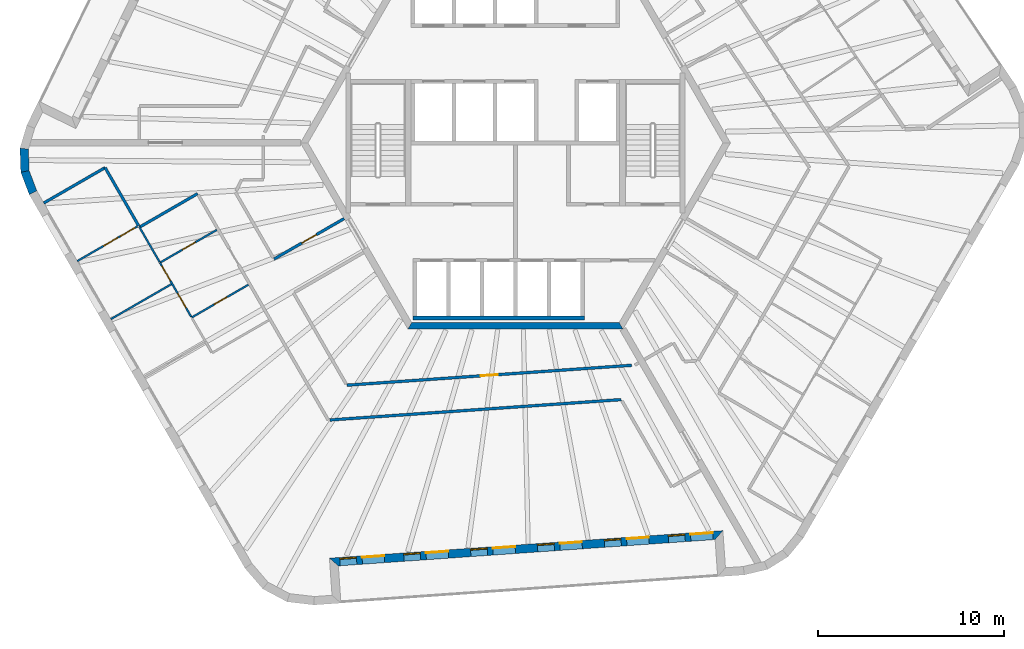
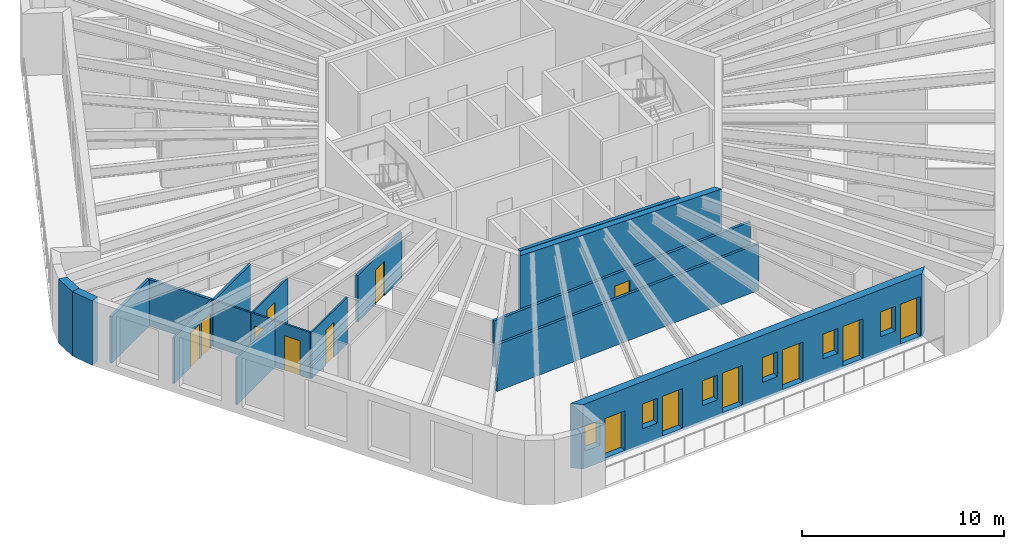
# One storey, part 3 of 11: 17 walls, 14 doors, 6 windows, 20 openings.
"""IFC4 building model written with IfcOpenShell, lengths in metres."""

from ifc_helpers import new_model, si_unit, direction, frame, frame_2d, origin, place, context, subcontext, project, spatial, polyline, rectangle, outline, extrude, material, layer, layer_set, type_object, element, fill, save


model = new_model("IFC4")

# Units and contexts
model_context = context("Model", 3, precision=1e-05, world=origin(), true_north=direction((0.0, 1.0)))
body_context = subcontext(model_context, "Body", "Model", "MODEL_VIEW")
ifc_project = project(units=[si_unit("LENGTHUNIT", "METRE"), si_unit("AREAUNIT", "SQUARE_METRE"), si_unit("VOLUMEUNIT", "CUBIC_METRE"), si_unit("PLANEANGLEUNIT", "RADIAN"), si_unit("MASSUNIT", "GRAM", prefix="KILO")], contexts=[model_context])

# Site, building, storey
site_placement = place(None, origin())
site = spatial("IfcSite", under=ifc_project, at=site_placement, CompositionType="ELEMENT")
building_placement = place(site_placement, origin())
building = spatial("IfcBuilding", under=site, at=building_placement, Name="Tarnside Tower", CompositionType="ELEMENT")
storey_placement = place(building_placement, frame((0.0, 0.0, 353.39990234375)))
storey = spatial("IfcBuildingStorey", under=building, at=storey_placement, Name="L85", CompositionType="ELEMENT", Elevation=353.39990234375)

# Wall, opening, door
ifc_material_1 = material(Name="Gypsum board partition on steel studs", Category="steel")
ifc_layer_1 = layer(ifc_material_1, 0.10009765625)
ifc_layer_set_1 = layer_set([ifc_layer_1], Name="Bathroom wall 100")
wall_type_1 = type_object("IfcWallType", Name="Bathroom wall 100", PredefinedType="PARTITIONING", material=ifc_layer_set_1)
wall_1_placement = place(storey_placement, frame((-16.03857421875, -4.67041015625, 0.0), z_axis=(0.0, 0.0, 1.0), x_axis=(-0.866031034943, -0.499990246421, 0.0)))
wall_1 = element("IfcWall", 1, at=wall_1_placement, inside=storey, type_object=wall_type_1, Name="Bathroom wall 27096", PredefinedType="PARTITIONING", context=body_context, shape_type="SweptSolid", body=[
    extrude(rectangle(XDim=3.52490234375, YDim=0.10009765625, at=frame_2d((1.762451171875, 0.0))), origin(), (0.0, 0.0, 1.0), 2.820068359375),
])
opening_1_placement = place(wall_1_placement, frame((1.324951171875, 0.0, 0.0)))
opening_1 = element("IfcOpeningElement", 2, at=opening_1_placement, cuts=wall_1, Name="Opening D-B1", PredefinedType="OPENING", context=body_context, shape_type="SweptSolid", body=[
    extrude(rectangle(XDim=0.800048828125, YDim=2.10009765625, at=frame_2d((0.39990234375, 1.050048828125))), frame((0.0, 0.06005859375, 0.0), z_axis=(0.0, -1.0, 0.0), x_axis=(1.0, 0.0, 0.0)), (0.0, 0.0, 1.0), 0.1201171875),
])
ifc_material_2 = material(Name="Timber door leaf", Category="wood")
door_type_1 = type_object("IfcDoorType", Name="Bathroom door 800", OperationType="NOTDEFINED", PredefinedType="DOOR", material=ifc_material_2)
door_1_placement = place(opening_1_placement, origin())
door_1 = element("IfcDoor", 3, at=door_1_placement, inside=storey, type_object=door_type_1, Name="Bathroom door 27023", OperationType="SINGLE_SWING_RIGHT", OverallHeight=2.10009765625, OverallWidth=0.800048828125, PredefinedType="DOOR", context=body_context, shape_type="SweptSolid", body=[
    extrude(rectangle(XDim=0.800048828125, YDim=2.10009765625, at=frame_2d((0.39990234375, 1.050048828125))), frame((0.0, 0.02490234375, 0.0), z_axis=(0.0, -1.0, 0.0), x_axis=(1.0, 0.0, 0.0)), (0.0, 0.0, 1.0), 0.050048828125),
])
fill(opening_1, door_1)

wall_2_placement = place(storey_placement, frame((-17.391357421875, -9.37744140625, 0.0), z_axis=(0.0, 0.0, 1.0), x_axis=(0.866001044215, 0.500042189638, 0.0)))
wall_2 = element("IfcWall", 4, at=wall_2_placement, inside=storey, type_object=wall_type_1, Name="Bathroom wall 27099", PredefinedType="PARTITIONING", context=body_context, shape_type="SweptSolid", body=[
    extrude(rectangle(XDim=3.525146484375, YDim=0.10009765625, at=frame_2d((1.7626953125, 0.0))), origin(), (0.0, 0.0, 1.0), 2.820068359375),
])
opening_2_placement = place(wall_2_placement, frame((1.39990234375, 0.0, 0.0)))
opening_2 = element("IfcOpeningElement", 5, at=opening_2_placement, cuts=wall_2, Name="Opening D-B1", PredefinedType="OPENING", context=body_context, shape_type="SweptSolid", body=[
    extrude(rectangle(XDim=0.800048828125, YDim=2.10009765625, at=frame_2d((0.39990234375, 1.050048828125))), frame((0.0, 0.06005859375, 0.0), z_axis=(0.0, -1.0, 0.0), x_axis=(1.0, 0.0, 0.0)), (0.0, 0.0, 1.0), 0.1201171875),
])
door_2_placement = place(opening_2_placement, origin())
door_2 = element("IfcDoor", 6, at=door_2_placement, inside=storey, type_object=door_type_1, Name="Bathroom door 27034", OperationType="SINGLE_SWING_LEFT", OverallHeight=2.10009765625, OverallWidth=0.800048828125, PredefinedType="DOOR", context=body_context, shape_type="SweptSolid", body=[
    extrude(rectangle(XDim=0.800048828125, YDim=2.10009765625, at=frame_2d((0.39990234375, 1.050048828125))), frame((0.0, 0.02490234375, 0.0), z_axis=(0.0, -1.0, 0.0), x_axis=(1.0, 0.0, 0.0)), (0.0, 0.0, 1.0), 0.050048828125),
])
fill(opening_2, door_2)

# Walls
wall_3_placement = place(storey_placement, frame((-20.1923828125, -4.52587890625, 0.0), z_axis=(0.0, 0.0, 1.0), x_axis=(0.500039660922, -0.86600250433, 0.0)))
element("IfcWall", 7, at=wall_3_placement, inside=storey, type_object=wall_type_1, Name="Bathroom wall 27100", PredefinedType="PARTITIONING", context=body_context, shape_type="SweptSolid", body=[
    extrude(rectangle(XDim=2.154052734375, YDim=0.10009765625, at=frame_2d((1.0771484375, 0.0))), origin(), (0.0, 0.0, 1.0), 2.820068359375),
])
ifc_material_3 = material(Name="Concrete C50/60", Category="concrete")
ifc_layer_2 = layer(ifc_material_3, 0.35009765625)
ifc_layer_set_2 = layer_set([ifc_layer_2], Name="Core wall Z4 350 C50/60")
wall_type_2 = type_object("IfcWallType", Name="Core wall Z4 350 C50/60", PredefinedType="SHEAR", material=ifc_layer_set_2)
wall_4_placement = place(storey_placement, frame((-5.672607421875, -9.824951171875, -0.14990234375), z_axis=(0.0, 0.0, 1.0), x_axis=(1.0, 0.0, 0.0)))
element("IfcWall", 8, at=wall_4_placement, inside=storey, type_object=wall_type_2, Name="L85 core wall face 4", PredefinedType="SHEAR", context=body_context, shape_type="SweptSolid", body=[
    extrude(outline(polyline([(-0.10107421875, -0.175048828125), (11.4462890625, -0.175048828125), (11.244140625, 0.175048828125), (0.10107421875, 0.175048828125), (-0.10107421875, -0.175048828125)])), origin(), (0.0, 0.0, 1.0), 3.89990234375),
])
ifc_layer_3 = layer(ifc_material_1, 0.14990234375)
ifc_layer_set_3 = layer_set([ifc_layer_3], Name="Corridor wall 150 EI 60")
wall_type_3 = type_object("IfcWallType", Name="Corridor wall 150 EI 60", PredefinedType="PARTITIONING", material=ifc_layer_set_3)
wall_5_placement = place(storey_placement, frame((-9.9697265625, -14.881591796875, 0.0), z_axis=(0.0, 0.0, 1.0), x_axis=(0.997564384496, 0.06975169378, 0.0)))
element("IfcWall", 9, at=wall_5_placement, inside=storey, type_object=wall_type_3, Name="Corridor wall 27025", PredefinedType="PARTITIONING", context=body_context, shape_type="SweptSolid", body=[
    extrude(rectangle(XDim=15.687744140625, YDim=0.14990234375, at=frame_2d((7.84375, 0.0))), origin(), (0.0, 0.0, 1.0), 2.820068359375),
])
wall_6_placement = place(storey_placement, frame((-20.19140625, -4.527587890625, 0.0), z_axis=(0.0, 0.0, 1.0), x_axis=(0.866018442252, 0.500012057535, 0.0)))
element("IfcWall", 10, at=wall_6_placement, inside=storey, type_object=wall_type_3, Name="Corridor wall 27029", PredefinedType="PARTITIONING", context=body_context, shape_type="SweptSolid", body=[
    extrude(rectangle(XDim=3.60009765625, YDim=0.14990234375, at=frame_2d((1.800048828125, 0.0))), origin(), (0.0, 0.0, 1.0), 2.820068359375),
])
wall_7_placement = place(storey_placement, frame((-25.3291015625, -3.228759765625, 0.0), z_axis=(0.0, 0.0, 1.0), x_axis=(0.866019695343, 0.500009887181, 0.0)))
element("IfcWall", 11, at=wall_7_placement, inside=storey, type_object=wall_type_3, Name="Corridor wall 27031", PredefinedType="PARTITIONING", context=body_context, shape_type="SweptSolid", body=[
    extrude(rectangle(XDim=3.798828125, YDim=0.14990234375, at=frame_2d((1.8994140625, 0.0))), origin(), (0.0, 0.0, 1.0), 2.820068359375),
])
wall_8_placement = place(storey_placement, frame((-22.03759765625, -1.329833984375, 0.0), z_axis=(0.0, 0.0, 1.0), x_axis=(0.499976924066, -0.866038726271, 0.0)))
element("IfcWall", 12, at=wall_8_placement, inside=storey, type_object=wall_type_3, Name="Corridor wall 27032", PredefinedType="PARTITIONING", context=body_context, shape_type="SweptSolid", body=[
    extrude(rectangle(XDim=3.598876953125, YDim=0.14990234375, at=frame_2d((1.79931640625, 0.0))), origin(), (0.0, 0.0, 1.0), 2.820068359375),
])

# Wall, opening, door
wall_9_placement = place(storey_placement, frame((-9.19970703125, -4.065673828125, 0.0), z_axis=(0.0, 0.0, 1.0), x_axis=(-0.866013608182, -0.500020430026, 0.0)))
wall_9 = element("IfcWall", 13, at=wall_9_placement, inside=storey, type_object=wall_type_3, Name="Corridor wall 27034", PredefinedType="PARTITIONING", context=body_context, shape_type="SweptSolid", body=[
    extrude(rectangle(XDim=4.349853515625, YDim=0.14990234375, at=frame_2d((2.1748046875, 0.0))), origin(), (0.0, 0.0, 1.0), 2.820068359375),
])
opening_3_placement = place(wall_9_placement, frame((1.72509765625, 0.0, 0.0)))
opening_3 = element("IfcOpeningElement", 14, at=opening_3_placement, cuts=wall_9, Name="Opening D-S1", PredefinedType="OPENING", context=body_context, shape_type="SweptSolid", body=[
    extrude(rectangle(XDim=0.89990234375, YDim=2.10009765625, at=frame_2d((0.449951171875, 1.050048828125))), frame((0.0, 0.0849609375, 0.0), z_axis=(0.0, -1.0, 0.0), x_axis=(1.0, 0.0, 0.0)), (0.0, 0.0, 1.0), 0.169921875),
])
door_type_2 = type_object("IfcDoorType", Name="Service room door 900 FD30S", OperationType="NOTDEFINED", PredefinedType="DOOR", material=ifc_material_2)
door_3_placement = place(opening_3_placement, origin())
door_3 = element("IfcDoor", 15, at=door_3_placement, inside=storey, type_object=door_type_2, Name="Service door 27061", OperationType="SINGLE_SWING_LEFT", OverallHeight=2.10009765625, OverallWidth=0.89990234375, PredefinedType="DOOR", context=body_context, shape_type="SweptSolid", body=[
    extrude(rectangle(XDim=0.89990234375, YDim=2.10009765625, at=frame_2d((0.449951171875, 1.050048828125))), frame((0.0, 0.02490234375, 0.0), z_axis=(0.0, -1.0, 0.0), x_axis=(1.0, 0.0, 0.0)), (0.0, 0.0, 1.0), 0.050048828125),
])
fill(opening_3, door_3)

wall_10_placement = place(storey_placement, frame((6.24462890625, -11.943603515625, 0.0), z_axis=(0.0, 0.0, 1.0), x_axis=(-0.997564707029, -0.069747080866, 0.0)))
wall_10 = element("IfcWall", 16, at=wall_10_placement, inside=storey, type_object=wall_type_3, Name="Corridor wall 27040", PredefinedType="PARTITIONING", context=body_context, shape_type="SweptSolid", body=[
    extrude(rectangle(XDim=15.338623046875, YDim=0.14990234375, at=frame_2d((7.66943359375, 0.0))), origin(), (0.0, 0.0, 1.0), 2.820068359375),
])
opening_4_placement = place(wall_10_placement, frame((7.21923828125, 0.0, 0.0)))
opening_4 = element("IfcOpeningElement", 17, at=opening_4_placement, cuts=wall_10, Name="Opening D-S1", PredefinedType="OPENING", context=body_context, shape_type="SweptSolid", body=[
    extrude(rectangle(XDim=0.89990234375, YDim=2.10009765625, at=frame_2d((0.449951171875, 1.050048828125))), frame((0.0, 0.0849609375, 0.0), z_axis=(0.0, -1.0, 0.0), x_axis=(1.0, 0.0, 0.0)), (0.0, 0.0, 1.0), 0.169921875),
])
door_4_placement = place(opening_4_placement, origin())
door_4 = element("IfcDoor", 18, at=door_4_placement, inside=storey, type_object=door_type_2, Name="Service door 27062", OperationType="SINGLE_SWING_RIGHT", OverallHeight=2.10009765625, OverallWidth=0.89990234375, PredefinedType="DOOR", context=body_context, shape_type="SweptSolid", body=[
    extrude(rectangle(XDim=0.89990234375, YDim=2.10009765625, at=frame_2d((0.449951171875, 1.050048828125))), frame((0.0, 0.02490234375, 0.0), z_axis=(0.0, -1.0, 0.0), x_axis=(1.0, 0.0, 0.0)), (0.0, 0.0, 1.0), 0.050048828125),
])
fill(opening_4, door_4)

# Wall
ifc_material_4 = material(Name="Concrete C40/50", Category="concrete")
ifc_layer_4 = layer(ifc_material_4, 0.199951171875)
ifc_layer_set_4 = layer_set([ifc_layer_4], Name="Lift shaft wall 200 C40/50")
wall_type_4 = type_object("IfcWallType", Name="Lift shaft wall 200 C40/50", PredefinedType="SHEAR", material=ifc_layer_set_4)
wall_11_placement = place(storey_placement, frame((-5.5, -9.39990234375, -0.25), z_axis=(0.0, 0.0, 1.0), x_axis=(1.0, 0.0, 0.0)))
element("IfcWall", 19, at=wall_11_placement, inside=storey, type_object=wall_type_4, Name="L85 lift shaft back wall R4", PredefinedType="SHEAR", context=body_context, shape_type="SweptSolid", body=[
    extrude(rectangle(XDim=9.199951171875, YDim=0.199951171875, at=frame_2d((4.60009765625, 0.0))), origin(), (0.0, 0.0, 1.0), 3.900146484375),
])

# Wall, openings, doors, windows
ifc_material_5 = material(Name="Dark zinc cladding")
ifc_layer_5 = layer(ifc_material_5, 0.10205078125)
ifc_material_6 = material(Name="Concrete C60/75 precast", Category="concrete")
ifc_layer_6 = layer(ifc_material_6, 0.248046875)
ifc_material_7 = material(Name="Mineral wool insulation")
ifc_layer_7 = layer(ifc_material_7, 0.10009765625)
ifc_layer_set_5 = layer_set([ifc_layer_5, ifc_layer_6, ifc_layer_7], Name="Loggia wall 450 zinc faced")
wall_type_5 = type_object("IfcWallType", Name="Loggia wall 450 zinc faced", PredefinedType="SOLIDWALL", material=ifc_layer_set_5)
wall_12_placement = place(storey_placement, frame((-9.7509765625, -22.510009765625, -0.14990234375), z_axis=(0.0, 0.0, 1.0), x_axis=(0.997564460173, 0.06975061147, 0.0)))
wall_12 = element("IfcWall", 20, at=wall_12_placement, inside=storey, type_object=wall_type_5, Name="Tube wall L85 F4 back 18", PredefinedType="SOLIDWALL", context=body_context, shape_type="SweptSolid", body=[
    extrude(outline(polyline([(0.224853515625, -0.22509765625), (20.5068359375, -0.22509765625), (20.95654296875, 0.22509765625), (-0.224853515625, 0.22509765625), (0.224853515625, -0.22509765625)])), origin(), (0.0, 0.0, 1.0), 3.89990234375),
])
opening_5_placement = place(wall_12_placement, frame((0.324951171875, 0.0, 1.050048828125)))
opening_5 = element("IfcOpeningElement", 21, at=opening_5_placement, cuts=wall_12, Name="Opening WL450", PredefinedType="OPENING", context=body_context, shape_type="SweptSolid", body=[
    extrude(rectangle(XDim=0.89990234375, YDim=1.5, at=frame_2d((0.449951171875, 0.75))), frame((0.0, 0.23486328125, 0.0), z_axis=(0.0, -1.0, 0.0), x_axis=(1.0, 0.0, 0.0)), (0.0, 0.0, 1.0), 0.469970703125),
])
opening_6_placement = place(wall_12_placement, frame((1.52490234375, 0.0, 0.14990234375)))
opening_6 = element("IfcOpeningElement", 22, at=opening_6_placement, cuts=wall_12, Name="Opening DB450", PredefinedType="OPENING", context=body_context, shape_type="SweptSolid", body=[
    extrude(rectangle(XDim=1.199951171875, YDim=2.39990234375, at=frame_2d((0.60009765625, 1.199951171875))), frame((0.0, 0.23486328125, 0.0), z_axis=(0.0, -1.0, 0.0), x_axis=(1.0, 0.0, 0.0)), (0.0, 0.0, 1.0), 0.469970703125),
])
opening_7_placement = place(wall_12_placement, frame((3.765869140625, 0.0, 1.050048828125)))
opening_7 = element("IfcOpeningElement", 23, at=opening_7_placement, cuts=wall_12, Name="Opening WL450", PredefinedType="OPENING", context=body_context, shape_type="SweptSolid", body=[
    extrude(rectangle(XDim=0.89990234375, YDim=1.5, at=frame_2d((0.449951171875, 0.75))), frame((0.0, 0.23486328125, 0.0), z_axis=(0.0, -1.0, 0.0), x_axis=(1.0, 0.0, 0.0)), (0.0, 0.0, 1.0), 0.469970703125),
])
opening_8_placement = place(wall_12_placement, frame((4.9658203125, 0.0, 0.14990234375)))
opening_8 = element("IfcOpeningElement", 24, at=opening_8_placement, cuts=wall_12, Name="Opening DB450", PredefinedType="OPENING", context=body_context, shape_type="SweptSolid", body=[
    extrude(rectangle(XDim=1.199951171875, YDim=2.39990234375, at=frame_2d((0.60009765625, 1.199951171875))), frame((0.0, 0.23486328125, 0.0), z_axis=(0.0, -1.0, 0.0), x_axis=(1.0, 0.0, 0.0)), (0.0, 0.0, 1.0), 0.469970703125),
])
opening_9_placement = place(wall_12_placement, frame((7.36572265625, 0.0, 1.050048828125)))
opening_9 = element("IfcOpeningElement", 25, at=opening_9_placement, cuts=wall_12, Name="Opening WL450", PredefinedType="OPENING", context=body_context, shape_type="SweptSolid", body=[
    extrude(rectangle(XDim=0.89990234375, YDim=1.5, at=frame_2d((0.449951171875, 0.75))), frame((0.0, 0.23486328125, 0.0), z_axis=(0.0, -1.0, 0.0), x_axis=(1.0, 0.0, 0.0)), (0.0, 0.0, 1.0), 0.469970703125),
])
opening_10_placement = place(wall_12_placement, frame((8.56591796875, 0.0, 0.14990234375)))
opening_10 = element("IfcOpeningElement", 26, at=opening_10_placement, cuts=wall_12, Name="Opening DB450", PredefinedType="OPENING", context=body_context, shape_type="SweptSolid", body=[
    extrude(rectangle(XDim=1.199951171875, YDim=2.39990234375, at=frame_2d((0.60009765625, 1.199951171875))), frame((0.0, 0.23486328125, 0.0), z_axis=(0.0, -1.0, 0.0), x_axis=(1.0, 0.0, 0.0)), (0.0, 0.0, 1.0), 0.469970703125),
])
opening_11_placement = place(wall_12_placement, frame((10.9658203125, 0.0, 1.050048828125)))
opening_11 = element("IfcOpeningElement", 27, at=opening_11_placement, cuts=wall_12, Name="Opening WL450", PredefinedType="OPENING", context=body_context, shape_type="SweptSolid", body=[
    extrude(rectangle(XDim=0.89990234375, YDim=1.5, at=frame_2d((0.449951171875, 0.75))), frame((0.0, 0.23486328125, 0.0), z_axis=(0.0, -1.0, 0.0), x_axis=(1.0, 0.0, 0.0)), (0.0, 0.0, 1.0), 0.469970703125),
])
opening_12_placement = place(wall_12_placement, frame((12.165771484375, 0.0, 0.14990234375)))
opening_12 = element("IfcOpeningElement", 28, at=opening_12_placement, cuts=wall_12, Name="Opening DB450", PredefinedType="OPENING", context=body_context, shape_type="SweptSolid", body=[
    extrude(rectangle(XDim=1.199951171875, YDim=2.39990234375, at=frame_2d((0.60009765625, 1.199951171875))), frame((0.0, 0.23486328125, 0.0), z_axis=(0.0, -1.0, 0.0), x_axis=(1.0, 0.0, 0.0)), (0.0, 0.0, 1.0), 0.469970703125),
])
opening_13_placement = place(wall_12_placement, frame((14.56591796875, 0.0, 1.050048828125)))
opening_13 = element("IfcOpeningElement", 29, at=opening_13_placement, cuts=wall_12, Name="Opening WL450", PredefinedType="OPENING", context=body_context, shape_type="SweptSolid", body=[
    extrude(rectangle(XDim=0.89990234375, YDim=1.5, at=frame_2d((0.449951171875, 0.75))), frame((0.0, 0.23486328125, 0.0), z_axis=(0.0, -1.0, 0.0), x_axis=(1.0, 0.0, 0.0)), (0.0, 0.0, 1.0), 0.469970703125),
])
opening_14_placement = place(wall_12_placement, frame((15.765869140625, 0.0, 0.14990234375)))
opening_14 = element("IfcOpeningElement", 30, at=opening_14_placement, cuts=wall_12, Name="Opening DB450", PredefinedType="OPENING", context=body_context, shape_type="SweptSolid", body=[
    extrude(rectangle(XDim=1.199951171875, YDim=2.39990234375, at=frame_2d((0.60009765625, 1.199951171875))), frame((0.0, 0.23486328125, 0.0), z_axis=(0.0, -1.0, 0.0), x_axis=(1.0, 0.0, 0.0)), (0.0, 0.0, 1.0), 0.469970703125),
])
opening_15_placement = place(wall_12_placement, frame((18.006591796875, 0.0, 1.050048828125)))
opening_15 = element("IfcOpeningElement", 31, at=opening_15_placement, cuts=wall_12, Name="Opening WL450", PredefinedType="OPENING", context=body_context, shape_type="SweptSolid", body=[
    extrude(rectangle(XDim=0.89990234375, YDim=1.5, at=frame_2d((0.449951171875, 0.75))), frame((0.0, 0.23486328125, 0.0), z_axis=(0.0, -1.0, 0.0), x_axis=(1.0, 0.0, 0.0)), (0.0, 0.0, 1.0), 0.469970703125),
])
opening_16_placement = place(wall_12_placement, frame((19.20654296875, 0.0, 0.14990234375)))
opening_16 = element("IfcOpeningElement", 32, at=opening_16_placement, cuts=wall_12, Name="Opening DB450", PredefinedType="OPENING", context=body_context, shape_type="SweptSolid", body=[
    extrude(rectangle(XDim=1.199951171875, YDim=2.39990234375, at=frame_2d((0.60009765625, 1.199951171875))), frame((0.0, 0.23486328125, 0.0), z_axis=(0.0, -1.0, 0.0), x_axis=(1.0, 0.0, 0.0)), (0.0, 0.0, 1.0), 0.469970703125),
])
ifc_material_8 = material(Name="Aluminium-framed double glazing", Category="aluminium")
door_type_3 = type_object("IfcDoorType", Name="Balcony sliding door 1200 x 2400 in 450 wall", OperationType="SLIDING_TO_LEFT", PredefinedType="DOOR", material=ifc_material_8)
door_5_placement = place(opening_6_placement, frame((0.0, 0.150146484375, 0.0)))
door_5 = element("IfcDoor", 33, at=door_5_placement, inside=storey, type_object=door_type_3, Name="E.BD.L85.F4.00", OperationType="SLIDING_TO_LEFT", OverallHeight=2.39990234375, OverallWidth=1.199951171875, PredefinedType="DOOR", context=body_context, shape_type="SweptSolid", body=[
    extrude(rectangle(XDim=1.199951171875, YDim=2.39990234375, at=frame_2d((0.60009765625, 1.199951171875))), frame((0.0, 0.02490234375, 0.0), z_axis=(0.0, -1.0, 0.0), x_axis=(1.0, 0.0, 0.0)), (0.0, 0.0, 1.0), 0.050048828125),
])
fill(opening_6, door_5)
door_6_placement = place(opening_8_placement, frame((0.0, 0.150146484375, 0.0)))
door_6 = element("IfcDoor", 34, at=door_6_placement, inside=storey, type_object=door_type_3, Name="E.BD.L85.F4.01", OperationType="SLIDING_TO_LEFT", OverallHeight=2.39990234375, OverallWidth=1.199951171875, PredefinedType="DOOR", context=body_context, shape_type="SweptSolid", body=[
    extrude(rectangle(XDim=1.199951171875, YDim=2.39990234375, at=frame_2d((0.60009765625, 1.199951171875))), frame((0.0, 0.02490234375, 0.0), z_axis=(0.0, -1.0, 0.0), x_axis=(1.0, 0.0, 0.0)), (0.0, 0.0, 1.0), 0.050048828125),
])
fill(opening_8, door_6)
door_7_placement = place(opening_10_placement, frame((0.0, 0.150146484375, 0.0)))
door_7 = element("IfcDoor", 35, at=door_7_placement, inside=storey, type_object=door_type_3, Name="E.BD.L85.F4.02", OperationType="SLIDING_TO_LEFT", OverallHeight=2.39990234375, OverallWidth=1.199951171875, PredefinedType="DOOR", context=body_context, shape_type="SweptSolid", body=[
    extrude(rectangle(XDim=1.199951171875, YDim=2.39990234375, at=frame_2d((0.60009765625, 1.199951171875))), frame((0.0, 0.02490234375, 0.0), z_axis=(0.0, -1.0, 0.0), x_axis=(1.0, 0.0, 0.0)), (0.0, 0.0, 1.0), 0.050048828125),
])
fill(opening_10, door_7)
door_8_placement = place(opening_12_placement, frame((0.0, 0.150146484375, 0.0)))
door_8 = element("IfcDoor", 36, at=door_8_placement, inside=storey, type_object=door_type_3, Name="E.BD.L85.F4.03", OperationType="SLIDING_TO_LEFT", OverallHeight=2.39990234375, OverallWidth=1.199951171875, PredefinedType="DOOR", context=body_context, shape_type="SweptSolid", body=[
    extrude(rectangle(XDim=1.199951171875, YDim=2.39990234375, at=frame_2d((0.60009765625, 1.199951171875))), frame((0.0, 0.02490234375, 0.0), z_axis=(0.0, -1.0, 0.0), x_axis=(1.0, 0.0, 0.0)), (0.0, 0.0, 1.0), 0.050048828125),
])
fill(opening_12, door_8)
door_9_placement = place(opening_14_placement, frame((0.0, 0.150146484375, 0.0)))
door_9 = element("IfcDoor", 37, at=door_9_placement, inside=storey, type_object=door_type_3, Name="E.BD.L85.F4.04", OperationType="SLIDING_TO_LEFT", OverallHeight=2.39990234375, OverallWidth=1.199951171875, PredefinedType="DOOR", context=body_context, shape_type="SweptSolid", body=[
    extrude(rectangle(XDim=1.199951171875, YDim=2.39990234375, at=frame_2d((0.60009765625, 1.199951171875))), frame((0.0, 0.02490234375, 0.0), z_axis=(0.0, -1.0, 0.0), x_axis=(1.0, 0.0, 0.0)), (0.0, 0.0, 1.0), 0.050048828125),
])
fill(opening_14, door_9)
door_10_placement = place(opening_16_placement, frame((0.0, 0.150146484375, 0.0)))
door_10 = element("IfcDoor", 38, at=door_10_placement, inside=storey, type_object=door_type_3, Name="E.BD.L85.F4.05", OperationType="SLIDING_TO_LEFT", OverallHeight=2.39990234375, OverallWidth=1.199951171875, PredefinedType="DOOR", context=body_context, shape_type="SweptSolid", body=[
    extrude(rectangle(XDim=1.199951171875, YDim=2.39990234375, at=frame_2d((0.60009765625, 1.199951171875))), frame((0.0, 0.02490234375, 0.0), z_axis=(0.0, -1.0, 0.0), x_axis=(1.0, 0.0, 0.0)), (0.0, 0.0, 1.0), 0.050048828125),
])
fill(opening_16, door_10)
window_type = type_object("IfcWindowType", Name="Loggia window 900 x 1500 in 450 wall", PartitioningType="SINGLE_PANEL", PredefinedType="WINDOW", material=ifc_material_8)
window_1_placement = place(opening_5_placement, frame((0.0, 0.1552734375, 0.0)))
window_1 = element("IfcWindow", 39, at=window_1_placement, inside=storey, type_object=window_type, Name="E.LW.L85.F4.00", OverallHeight=1.5, OverallWidth=0.89990234375, PartitioningType="SINGLE_PANEL", PredefinedType="WINDOW", context=body_context, shape_type="SweptSolid", body=[
    extrude(rectangle(XDim=0.89990234375, YDim=1.5, at=frame_2d((0.449951171875, 0.75))), frame((0.0, 0.030029296875, 0.0), z_axis=(0.0, -1.0, 0.0), x_axis=(1.0, 0.0, 0.0)), (0.0, 0.0, 1.0), 0.06005859375),
])
fill(opening_5, window_1)
window_2_placement = place(opening_7_placement, frame((0.0, 0.1552734375, 0.0)))
window_2 = element("IfcWindow", 40, at=window_2_placement, inside=storey, type_object=window_type, Name="E.LW.L85.F4.01", OverallHeight=1.5, OverallWidth=0.89990234375, PartitioningType="SINGLE_PANEL", PredefinedType="WINDOW", context=body_context, shape_type="SweptSolid", body=[
    extrude(rectangle(XDim=0.89990234375, YDim=1.5, at=frame_2d((0.449951171875, 0.75))), frame((0.0, 0.030029296875, 0.0), z_axis=(0.0, -1.0, 0.0), x_axis=(1.0, 0.0, 0.0)), (0.0, 0.0, 1.0), 0.06005859375),
])
fill(opening_7, window_2)
window_3_placement = place(opening_9_placement, frame((0.0, 0.1552734375, 0.0)))
window_3 = element("IfcWindow", 41, at=window_3_placement, inside=storey, type_object=window_type, Name="E.LW.L85.F4.02", OverallHeight=1.5, OverallWidth=0.89990234375, PartitioningType="SINGLE_PANEL", PredefinedType="WINDOW", context=body_context, shape_type="SweptSolid", body=[
    extrude(rectangle(XDim=0.89990234375, YDim=1.5, at=frame_2d((0.449951171875, 0.75))), frame((0.0, 0.030029296875, 0.0), z_axis=(0.0, -1.0, 0.0), x_axis=(1.0, 0.0, 0.0)), (0.0, 0.0, 1.0), 0.06005859375),
])
fill(opening_9, window_3)
window_4_placement = place(opening_11_placement, frame((0.0, 0.1552734375, 0.0)))
window_4 = element("IfcWindow", 42, at=window_4_placement, inside=storey, type_object=window_type, Name="E.LW.L85.F4.03", OverallHeight=1.5, OverallWidth=0.89990234375, PartitioningType="SINGLE_PANEL", PredefinedType="WINDOW", context=body_context, shape_type="SweptSolid", body=[
    extrude(rectangle(XDim=0.89990234375, YDim=1.5, at=frame_2d((0.449951171875, 0.75))), frame((0.0, 0.030029296875, 0.0), z_axis=(0.0, -1.0, 0.0), x_axis=(1.0, 0.0, 0.0)), (0.0, 0.0, 1.0), 0.06005859375),
])
fill(opening_11, window_4)
window_5_placement = place(opening_13_placement, frame((0.0, 0.1552734375, 0.0)))
window_5 = element("IfcWindow", 43, at=window_5_placement, inside=storey, type_object=window_type, Name="E.LW.L85.F4.04", OverallHeight=1.5, OverallWidth=0.89990234375, PartitioningType="SINGLE_PANEL", PredefinedType="WINDOW", context=body_context, shape_type="SweptSolid", body=[
    extrude(rectangle(XDim=0.89990234375, YDim=1.5, at=frame_2d((0.449951171875, 0.75))), frame((0.0, 0.030029296875, 0.0), z_axis=(0.0, -1.0, 0.0), x_axis=(1.0, 0.0, 0.0)), (0.0, 0.0, 1.0), 0.06005859375),
])
fill(opening_13, window_5)
window_6_placement = place(opening_15_placement, frame((0.0, 0.1552734375, 0.0)))
window_6 = element("IfcWindow", 44, at=window_6_placement, inside=storey, type_object=window_type, Name="E.LW.L85.F4.05", OverallHeight=1.5, OverallWidth=0.89990234375, PartitioningType="SINGLE_PANEL", PredefinedType="WINDOW", context=body_context, shape_type="SweptSolid", body=[
    extrude(rectangle(XDim=0.89990234375, YDim=1.5, at=frame_2d((0.449951171875, 0.75))), frame((0.0, 0.030029296875, 0.0), z_axis=(0.0, -1.0, 0.0), x_axis=(1.0, 0.0, 0.0)), (0.0, 0.0, 1.0), 0.06005859375),
])
fill(opening_15, window_6)

# Wall, openings, doors
ifc_layer_8 = layer(ifc_material_1, 0.10009765625)
ifc_layer_set_6 = layer_set([ifc_layer_8], Name="Partition 100")
wall_type_6 = type_object("IfcWallType", Name="Partition 100", PredefinedType="PARTITIONING", material=ifc_layer_set_6)
wall_13_placement = place(storey_placement, frame((-19.09228515625, -6.43115234375, 0.0), z_axis=(0.0, 0.0, 1.0), x_axis=(0.500014404596, -0.866017087127, 0.0)))
wall_13 = element("IfcWall", 45, at=wall_13_placement, inside=storey, type_object=wall_type_6, Name="Partition wall 27097", PredefinedType="PARTITIONING", context=body_context, shape_type="SweptSolid", body=[
    extrude(rectangle(XDim=3.35400390625, YDim=0.10009765625, at=frame_2d((1.677001953125, 0.0))), origin(), (0.0, 0.0, 1.0), 2.820068359375),
])
opening_17_placement = place(wall_13_placement, frame((0.208251953125, 0.0, 0.0)))
opening_17 = element("IfcOpeningElement", 46, at=opening_17_placement, cuts=wall_13, Name="Opening D-I1", PredefinedType="OPENING", context=body_context, shape_type="SweptSolid", body=[
    extrude(rectangle(XDim=0.89990234375, YDim=2.10009765625, at=frame_2d((0.449951171875, 1.050048828125))), frame((0.0, 0.06005859375, 0.0), z_axis=(0.0, -1.0, 0.0), x_axis=(1.0, 0.0, 0.0)), (0.0, 0.0, 1.0), 0.1201171875),
])
opening_18_placement = place(wall_13_placement, frame((1.905029296875, 0.0, 0.0)))
opening_18 = element("IfcOpeningElement", 47, at=opening_18_placement, cuts=wall_13, Name="Opening D-I1", PredefinedType="OPENING", context=body_context, shape_type="SweptSolid", body=[
    extrude(rectangle(XDim=0.89990234375, YDim=2.10009765625, at=frame_2d((0.449951171875, 1.050048828125))), frame((0.0, 0.06005859375, 0.0), z_axis=(0.0, -1.0, 0.0), x_axis=(1.0, 0.0, 0.0)), (0.0, 0.0, 1.0), 0.1201171875),
])
door_type_4 = type_object("IfcDoorType", Name="Internal door 900", OperationType="NOTDEFINED", PredefinedType="DOOR", material=ifc_material_2)
door_11_placement = place(opening_17_placement, origin())
door_11 = element("IfcDoor", 48, at=door_11_placement, inside=storey, type_object=door_type_4, Name="Internal door 27026", OperationType="SINGLE_SWING_LEFT", OverallHeight=2.10009765625, OverallWidth=0.89990234375, PredefinedType="DOOR", context=body_context, shape_type="SweptSolid", body=[
    extrude(rectangle(XDim=0.89990234375, YDim=2.10009765625, at=frame_2d((0.449951171875, 1.050048828125))), frame((0.0, 0.02490234375, 0.0), z_axis=(0.0, -1.0, 0.0), x_axis=(1.0, 0.0, 0.0)), (0.0, 0.0, 1.0), 0.050048828125),
])
fill(opening_17, door_11)
door_12_placement = place(opening_18_placement, origin())
door_12 = element("IfcDoor", 49, at=door_12_placement, inside=storey, type_object=door_type_4, Name="Internal door 27033", OperationType="SINGLE_SWING_LEFT", OverallHeight=2.10009765625, OverallWidth=0.89990234375, PredefinedType="DOOR", context=body_context, shape_type="SweptSolid", body=[
    extrude(rectangle(XDim=0.89990234375, YDim=2.10009765625, at=frame_2d((0.449951171875, 1.050048828125))), frame((0.0, 0.02490234375, 0.0), z_axis=(0.0, -1.0, 0.0), x_axis=(1.0, 0.0, 0.0)), (0.0, 0.0, 1.0), 0.050048828125),
])
fill(opening_18, door_12)

wall_14_placement = place(storey_placement, frame((-23.529052734375, -6.346435546875, 0.0), z_axis=(0.0, 0.0, 1.0), x_axis=(0.866012039196, 0.500023147432, 0.0)))
wall_14 = element("IfcWall", 50, at=wall_14_placement, inside=storey, type_object=wall_type_6, Name="Partition wall 27101", PredefinedType="PARTITIONING", context=body_context, shape_type="SweptSolid", body=[
    extrude(rectangle(XDim=3.724853515625, YDim=0.10009765625, at=frame_2d((1.8623046875, 0.0))), origin(), (0.0, 0.0, 1.0), 2.820068359375),
])
opening_19_placement = place(wall_14_placement, frame((2.675048828125, 0.0, 0.0)))
opening_19 = element("IfcOpeningElement", 51, at=opening_19_placement, cuts=wall_14, Name="Opening D-I1", PredefinedType="OPENING", context=body_context, shape_type="SweptSolid", body=[
    extrude(rectangle(XDim=0.89990234375, YDim=2.10009765625, at=frame_2d((0.449951171875, 1.050048828125))), frame((0.0, 0.06005859375, 0.0), z_axis=(0.0, -1.0, 0.0), x_axis=(1.0, 0.0, 0.0)), (0.0, 0.0, 1.0), 0.1201171875),
])
opening_20_placement = place(wall_14_placement, frame((1.625, 0.0, 0.0)))
opening_20 = element("IfcOpeningElement", 52, at=opening_20_placement, cuts=wall_14, Name="Opening D-I1", PredefinedType="OPENING", context=body_context, shape_type="SweptSolid", body=[
    extrude(rectangle(XDim=0.89990234375, YDim=2.10009765625, at=frame_2d((0.449951171875, 1.050048828125))), frame((0.0, 0.06005859375, 0.0), z_axis=(0.0, -1.0, 0.0), x_axis=(1.0, 0.0, 0.0)), (0.0, 0.0, 1.0), 0.1201171875),
])
door_13_placement = place(opening_19_placement, origin())
door_13 = element("IfcDoor", 53, at=door_13_placement, inside=storey, type_object=door_type_4, Name="Internal door 27029", OperationType="SINGLE_SWING_RIGHT", OverallHeight=2.10009765625, OverallWidth=0.89990234375, PredefinedType="DOOR", context=body_context, shape_type="SweptSolid", body=[
    extrude(rectangle(XDim=0.89990234375, YDim=2.10009765625, at=frame_2d((0.449951171875, 1.050048828125))), frame((0.0, 0.02490234375, 0.0), z_axis=(0.0, -1.0, 0.0), x_axis=(1.0, 0.0, 0.0)), (0.0, 0.0, 1.0), 0.050048828125),
])
fill(opening_19, door_13)
door_14_placement = place(opening_20_placement, origin())
door_14 = element("IfcDoor", 54, at=door_14_placement, inside=storey, type_object=door_type_4, Name="Internal door 27032", OperationType="SINGLE_SWING_LEFT", OverallHeight=2.10009765625, OverallWidth=0.89990234375, PredefinedType="DOOR", context=body_context, shape_type="SweptSolid", body=[
    extrude(rectangle(XDim=0.89990234375, YDim=2.10009765625, at=frame_2d((0.449951171875, 1.050048828125))), frame((0.0, 0.02490234375, 0.0), z_axis=(0.0, -1.0, 0.0), x_axis=(1.0, 0.0, 0.0)), (0.0, 0.0, 1.0), 0.050048828125),
])
fill(opening_20, door_14)

# Walls
wall_15_placement = place(storey_placement, frame((-21.72900390625, -9.464111328125, 0.0), z_axis=(0.0, 0.0, 1.0), x_axis=(0.866022959057, 0.500004234368, 0.0)))
element("IfcWall", 55, at=wall_15_placement, inside=storey, type_object=wall_type_6, Name="Partition wall 27102", PredefinedType="PARTITIONING", context=body_context, shape_type="SweptSolid", body=[
    extrude(rectangle(XDim=3.75, YDim=0.10009765625, at=frame_2d((1.875, 0.0))), origin(), (0.0, 0.0, 1.0), 2.820068359375),
])
ifc_material_9 = material(Name="Facing brick", Category="masonry")
ifc_layer_9 = layer(ifc_material_9, 0.10205078125)
ifc_layer_10 = layer(ifc_material_6, 0.248046875)
ifc_layer_11 = layer(ifc_material_7, 0.10009765625)
ifc_layer_set_7 = layer_set([ifc_layer_9, ifc_layer_10, ifc_layer_11], Name="Tube wall 450 brick faced")
wall_type_7 = type_object("IfcWallType", Name="Tube wall 450 brick faced", PredefinedType="SOLIDWALL", material=ifc_layer_set_7)
wall_16_placement = place(storey_placement, frame((-26.3818359375, -0.30859375, -0.14990234375), z_axis=(0.0, 0.0, 1.0), x_axis=(0.034887984255, -0.999391228976, 0.0)))
element("IfcWall", 56, at=wall_16_placement, inside=storey, type_object=wall_type_7, Name="Tube wall L85 F2 chord 10", PredefinedType="SOLIDWALL", context=body_context, shape_type="SweptSolid", body=[
    extrude(outline(polyline([(-0.036865234375, -0.22509765625), (1.261474609375, -0.22509765625), (1.187744140625, 0.22509765625), (0.036865234375, 0.22509765625), (-0.036865234375, -0.22509765625)])), origin(), (0.0, 0.0, 1.0), 3.89990234375),
])
wall_17_placement = place(storey_placement, frame((-26.339111328125, -1.532470703125, -0.14990234375), z_axis=(0.0, 0.0, 1.0), x_axis=(0.353132996235, -0.935573132882, 0.0)))
element("IfcWall", 57, at=wall_17_placement, inside=storey, type_object=wall_type_7, Name="Tube wall L85 F2 chord 11", PredefinedType="SOLIDWALL", context=body_context, shape_type="SweptSolid", body=[
    extrude(outline(polyline([(-0.036865234375, -0.22509765625), (1.24267578125, -0.22509765625), (1.2060546875, 0.22509765625), (0.036865234375, 0.22509765625), (-0.036865234375, -0.22509765625)])), origin(), (0.0, 0.0, 1.0), 3.89990234375),
])

save(model, "model.ifc")
